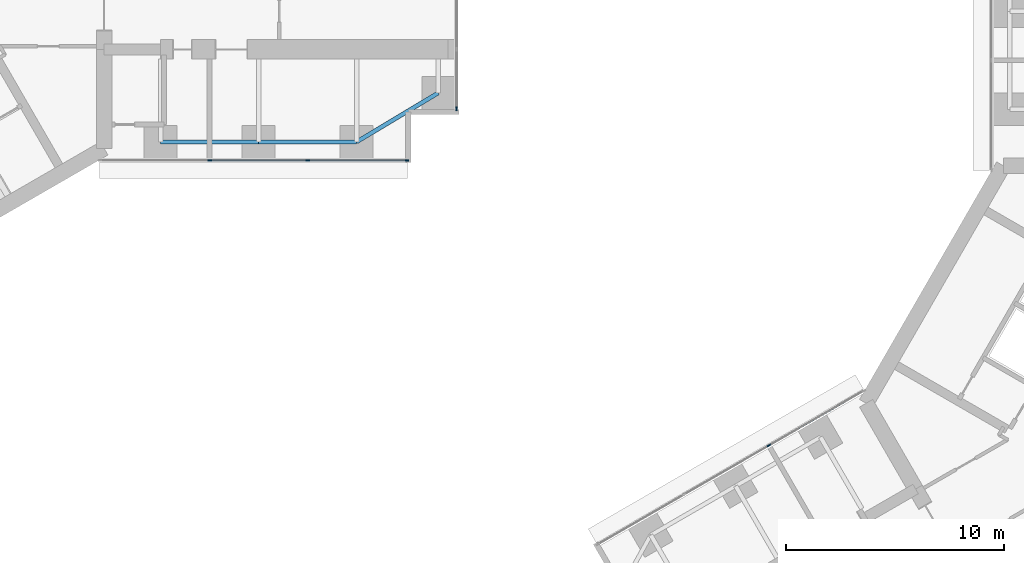
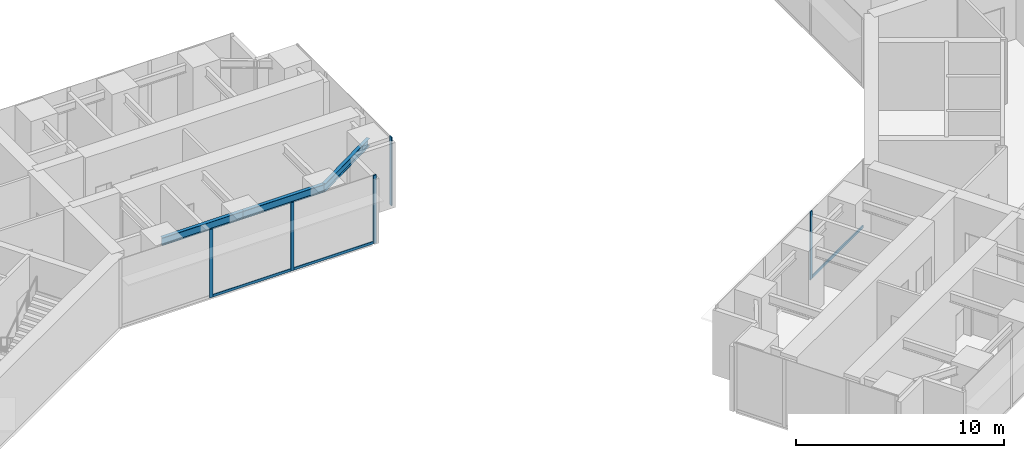
# One storey, part 5 of 23: 8 members, 3 beams, 3 elements without a shape of their own.
"""IFC4 building model written with IfcOpenShell, lengths in metres."""

from ifc_helpers import new_model, si_unit, direction, frame, origin, origin_2d, place, context, subcontext, project, spatial, rectangle, i_section, extrude, material, material_profile, profile_set, type_object, element, aggregate, save


model = new_model("IFC4")

# Units and contexts
model_context = context("Model", 3, precision=1e-05, world=origin(), true_north=direction((0.0, 1.0)))
body_context = subcontext(model_context, "Body", "Model", "MODEL_VIEW")
ifc_project = project(units=[si_unit("LENGTHUNIT", "METRE"), si_unit("AREAUNIT", "SQUARE_METRE"), si_unit("VOLUMEUNIT", "CUBIC_METRE"), si_unit("PLANEANGLEUNIT", "RADIAN"), si_unit("MASSUNIT", "GRAM", prefix="KILO")], contexts=[model_context])

# Site, building, storey
site_placement = place(None, origin())
site = spatial("IfcSite", under=ifc_project, at=site_placement, CompositionType="ELEMENT")
building_placement = place(site_placement, origin())
building = spatial("IfcBuilding", under=site, at=building_placement, Name="Upepo Twin Towers", CompositionType="ELEMENT")
storey_placement = place(building_placement, frame((0.0, 0.0, 32.5)))
storey = spatial("IfcBuildingStorey", under=building, at=storey_placement, Name="L07", CompositionType="ELEMENT", Elevation=32.5)

# Beams
ifc_material_1 = material(Name="Steel S355", Category="steel")
ifc_material_profile_1 = material_profile(ifc_material_1, i_section(OverallWidth=0.1904296875, OverallDepth=0.45703125, WebThickness=0.009033203125, FlangeThickness=0.014404296875, FilletRadius=0.01025390625, at=origin_2d()), Name="UB 457x191x74")
ifc_profile_set_1 = profile_set([ifc_material_profile_1], Name="Steel S355")
beam_type = type_object("IfcBeamType", Name="Beam UB 457x191x74", PredefinedType="BEAM", material=ifc_profile_set_1)
for number, where, z_axis, x_axis, name in (
    (1, (13.5, -6.0, 3.571533203125), (1.0, 0.0, 0.0), (0.0, 1.0, 0.0), "T1 edge beam AR 13.5-18.0"),
    (2, (18.0, -6.0, 3.571533203125), (1.0, 0.0, 0.0), (0.0, 1.0, 0.0), "T1 edge beam AR 18.0-22.5"),
):
    element("IfcBeam", number, at=place(storey_placement, frame(where, z_axis=z_axis, x_axis=x_axis)), inside=storey, type_object=beam_type, Name=name, PredefinedType="BEAM", context=body_context, shape_type="SweptSolid", body=[
        extrude(i_section(OverallWidth=0.1904296875, OverallDepth=0.45703125, WebThickness=0.009033203125, FlangeThickness=0.014404296875, FilletRadius=0.01025390625, at=origin_2d()), origin(), (0.0, 0.0, 1.0), 4.5),
    ])
beam_placement = place(storey_placement, frame((22.5, -6.0, 3.571533203125), z_axis=(0.857492925713, 0.514495755428, 0.0), x_axis=(-0.514495755428, 0.857492925713, 0.0)))
element("IfcBeam", 3, at=beam_placement, inside=storey, type_object=beam_type, Name="T1 nose edge beam AR", PredefinedType="BEAM", context=body_context, shape_type="SweptSolid", body=[
    extrude(i_section(OverallWidth=0.1904296875, OverallDepth=0.45703125, WebThickness=0.009033203125, FlangeThickness=0.014404296875, FilletRadius=0.01025390625, at=origin_2d()), origin(), (0.0, 0.0, 1.0), 4.373291015625),
])

# Curtain wall, members
ifc_material_2 = material(Name="Aluminium and fritted glass", Category="aluminium")
curtain_wall_type = type_object("IfcCurtainWallType", Name="Tower curtain wall TW1, fritted glass", PredefinedType="NOTDEFINED", material=ifc_material_2)
curtain_wall_1_placement = place(storey_placement, origin())
curtain_wall_1 = element("IfcCurtainWall", 4, at=curtain_wall_1_placement, inside=storey, type_object=curtain_wall_type, Name="T1 L07 wing A flank R curtain wall", PredefinedType="NOTDEFINED")
ifc_material_3 = material(Name="Aluminium mullion", Category="aluminium")
ifc_material_profile_2 = material_profile(ifc_material_3, rectangle(XDim=0.06494140625, YDim=0.179931640625, at=origin_2d()), Name="MULLION 65x180")
ifc_profile_set_2 = profile_set([ifc_material_profile_2], Name="Aluminium mullion")
member_type_1 = type_object("IfcMemberType", Name="Mullion 65x180 TW1", PredefinedType="MULLION", material=ifc_profile_set_2)
member_1_placement = place(storey_placement, frame((24.8173828125, -6.85009765625, 0.0), z_axis=(0.0, 0.0, 1.0), x_axis=(0.0, -1.0, 0.0)))
member_1 = element("IfcMember", 5, at=member_1_placement, type_object=member_type_1, Name="T1 L07 wing A flank R curtain wall mullion 1", PredefinedType="MULLION", context=body_context, shape_type="SweptSolid", body=[
    extrude(rectangle(XDim=0.06494140625, YDim=0.179931640625, at=origin_2d()), origin(), (0.0, 0.0, 1.0), 4.0),
])
member_2_placement = place(storey_placement, frame((20.25, -6.85009765625, 0.0), z_axis=(0.0, 0.0, 1.0), x_axis=(0.0, -1.0, 0.0)))
member_2 = element("IfcMember", 6, at=member_2_placement, type_object=member_type_1, Name="T1 L07 wing A flank R curtain wall mullion 2", PredefinedType="MULLION", context=body_context, shape_type="SweptSolid", body=[
    extrude(rectangle(XDim=0.06494140625, YDim=0.179931640625, at=origin_2d()), origin(), (0.0, 0.0, 1.0), 4.0),
])
member_3_placement = place(storey_placement, frame((15.75, -6.85009765625, 0.0), z_axis=(0.0, 0.0, 1.0), x_axis=(0.0, -1.0, 0.0)))
member_3 = element("IfcMember", 7, at=member_3_placement, type_object=member_type_1, Name="T1 L07 wing A flank R curtain wall mullion 3", PredefinedType="MULLION", context=body_context, shape_type="SweptSolid", body=[
    extrude(rectangle(XDim=0.06494140625, YDim=0.179931640625, at=origin_2d()), origin(), (0.0, 0.0, 1.0), 4.0),
])

# Curtain wall, member
curtain_wall_2_placement = place(storey_placement, origin())
curtain_wall_2 = element("IfcCurtainWall", 8, at=curtain_wall_2_placement, inside=storey, type_object=curtain_wall_type, Name="T1 L07 wing A nose curtain wall", PredefinedType="NOTDEFINED")
member_4_placement = place(storey_placement, frame((27.10009765625, -4.467529296875, 0.0), z_axis=(0.0, 0.0, 1.0), x_axis=(-1.0, 0.0, 0.0)))
member_4 = element("IfcMember", 9, at=member_4_placement, type_object=member_type_1, Name="T1 L07 wing A nose curtain wall mullion 1", PredefinedType="MULLION", context=body_context, shape_type="SweptSolid", body=[
    extrude(rectangle(XDim=0.06494140625, YDim=0.179931640625, at=origin_2d()), origin(), (0.0, 0.0, 1.0), 4.0),
])
aggregate(curtain_wall_2, [member_4])

curtain_wall_3_placement = place(storey_placement, origin())
curtain_wall_3 = element("IfcCurtainWall", 10, at=curtain_wall_3_placement, inside=storey, type_object=curtain_wall_type, Name="T2 L07 wing B flank R curtain wall", PredefinedType="NOTDEFINED")
member_5_placement = place(storey_placement, frame((41.43505859375, -19.942626953125, 0.0), z_axis=(0.0, 0.0, 1.0), x_axis=(-0.500000024426, 0.866025389682, 0.0)))
member_5 = element("IfcMember", 11, at=member_5_placement, type_object=member_type_1, Name="T2 L07 wing B flank R curtain wall mullion 3", PredefinedType="MULLION", context=body_context, shape_type="SweptSolid", body=[
    extrude(rectangle(XDim=0.06494140625, YDim=0.179931640625, at=origin_2d()), origin(), (0.0, 0.0, 1.0), 4.0),
])

# Member
ifc_material_4 = material(Name="Aluminium transom", Category="aluminium")
ifc_material_profile_3 = material_profile(ifc_material_4, rectangle(XDim=0.06494140625, YDim=0.14990234375, at=origin_2d()), Name="TRANSOM 65x150")
ifc_profile_set_3 = profile_set([ifc_material_profile_3], Name="Aluminium transom")
member_type_2 = type_object("IfcMemberType", Name="Transom 65x150 TW1", PredefinedType="USERDEFINED", material=ifc_profile_set_3)
member_6_placement = place(storey_placement, frame((24.784912109375, -6.85009765625, 0.074951171875), z_axis=(-1.0, 0.0, 0.0), x_axis=(0.0, -1.0, 0.0)))
member_6 = element("IfcMember", 12, at=member_6_placement, type_object=member_type_2, Name="T1 L07 wing A flank R curtain wall transom 1", ObjectType="TRANSOM", PredefinedType="USERDEFINED", context=body_context, shape_type="SweptSolid", body=[
    extrude(rectangle(XDim=0.06494140625, YDim=0.14990234375, at=origin_2d()), origin(), (0.0, 0.0, 1.0), 4.50244140625),
])

member_7_placement = place(storey_placement, frame((20.217529296875, -6.85009765625, 0.074951171875), z_axis=(-1.0, 0.0, 0.0), x_axis=(0.0, -1.0, 0.0)))
member_7 = element("IfcMember", 13, at=member_7_placement, type_object=member_type_2, Name="T1 L07 wing A flank R curtain wall transom 2", ObjectType="TRANSOM", PredefinedType="USERDEFINED", context=body_context, shape_type="SweptSolid", body=[
    extrude(rectangle(XDim=0.06494140625, YDim=0.14990234375, at=origin_2d()), origin(), (0.0, 0.0, 1.0), 4.43505859375),
])

aggregate(curtain_wall_1, [member_1, member_2, member_3, member_6, member_7])

member_8_placement = place(storey_placement, frame((41.463134765625, -19.926513671875, 0.074951171875), z_axis=(0.866034933967, 0.499983492876, 0.0), x_axis=(-0.499983492876, 0.866034933967, 0.0)))
member_8 = element("IfcMember", 14, at=member_8_placement, type_object=member_type_2, Name="T2 L07 wing B flank R curtain wall transom 3", ObjectType="TRANSOM", PredefinedType="USERDEFINED", context=body_context, shape_type="SweptSolid", body=[
    extrude(rectangle(XDim=0.06494140625, YDim=0.14990234375, at=origin_2d()), origin(), (0.0, 0.0, 1.0), 4.965576171875),
])

aggregate(curtain_wall_3, [member_5, member_8])

save(model, "model.ifc")
